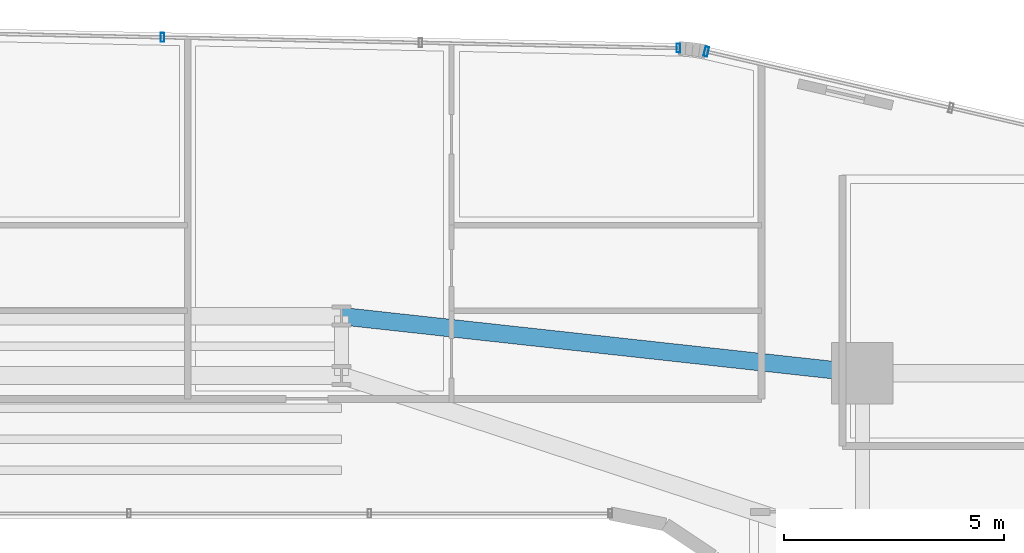
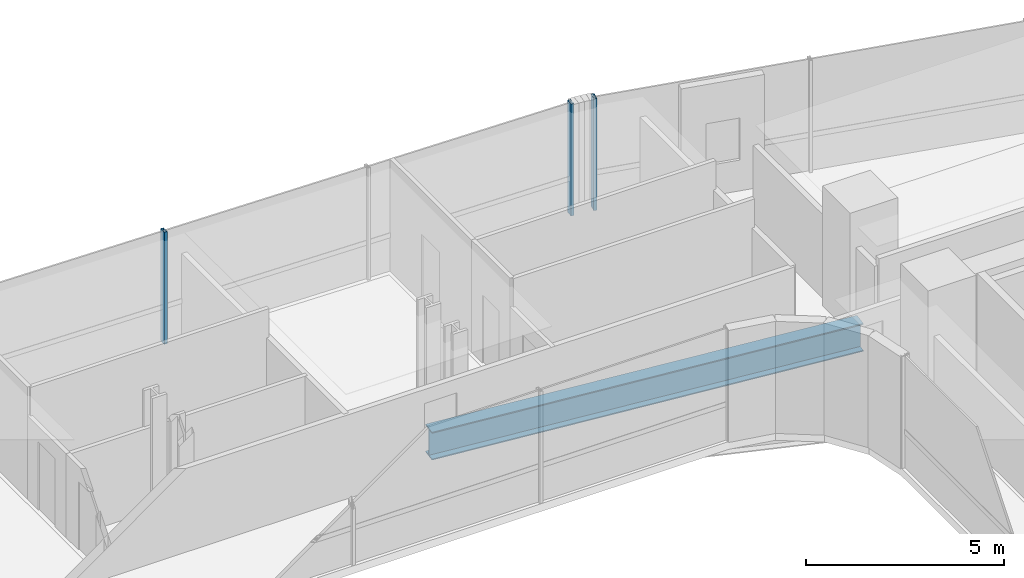
# One storey, part 23 of 41: 3 members, 1 beam, 2 elements without a shape of their own.
"""IFC4 building model written with IfcOpenShell, lengths in metres."""

from ifc_helpers import new_model, si_unit, direction, frame, origin, origin_2d, place, context, subcontext, project, spatial, hollow_rectangle, i_section, extrude, source, transform, mapped, material, material_profile, profile_set, type_object, element, aggregate, save


model = new_model("IFC4")

# Units and contexts
model_context = context("Model", 3, precision=1e-05, world=origin(), true_north=direction((0.0, 1.0)))
body_context = subcontext(model_context, "Body", "Model", "MODEL_VIEW")
ifc_project = project(units=[si_unit("LENGTHUNIT", "METRE"), si_unit("AREAUNIT", "SQUARE_METRE"), si_unit("VOLUMEUNIT", "CUBIC_METRE"), si_unit("PLANEANGLEUNIT", "RADIAN"), si_unit("MASSUNIT", "GRAM", prefix="KILO")], contexts=[model_context])

# Site, building, storey
site_placement = place(None, origin())
site = spatial("IfcSite", under=ifc_project, at=site_placement, CompositionType="ELEMENT")
building_placement = place(site_placement, origin())
building = spatial("IfcBuilding", under=site, at=building_placement, Name="Valdorenza Pilgrim Sanctuary Tower", CompositionType="ELEMENT")
storey_placement = place(building_placement, frame((0.0, 0.0, 85.199951171875)))
storey = spatial("IfcBuildingStorey", under=building, at=storey_placement, Name="L21", CompositionType="ELEMENT", Elevation=85.199951171875)

# Beam
ifc_material_1 = material(Name="Steel ASTM A992 Grade 50", Category="steel")
ifc_material_profile_1 = material_profile(ifc_material_1, i_section(OverallWidth=0.39990234375, OverallDepth=0.862060546875, WebThickness=0.019775390625, FlangeThickness=0.032470703125, at=origin_2d()), Name="W33X221")
ifc_profile_set_1 = profile_set([ifc_material_profile_1], Name="Steel ASTM A992 Grade 50")
beam_type = type_object("IfcBeamType", Name="STR-BM-GRD-W33", PredefinedType="BEAM", material=ifc_profile_set_1)
shared_shape_1 = source(origin(), body_context, "Body", "SweptSolid", [
    extrude(i_section(OverallWidth=0.39990234375, OverallDepth=0.862060546875, WebThickness=0.019775390625, FlangeThickness=0.032470703125, at=origin_2d()), origin(), (0.0, 0.0, 1.0), 11.921142578125),
])
beam_placement = place(storey_placement, frame((4.0, 14.800048828125, -0.6708984375), z_axis=(0.994035876607, -0.10905354656, 0.0), x_axis=(0.10905354656, 0.994035876607, 0.0)))
element("IfcBeam", 1, at=beam_placement, inside=storey, type_object=beam_type, Name="L21 Floor Girder KNK-G6", PredefinedType="BEAM", context=body_context, shape_type="MappedRepresentation", body=[
    mapped(shared_shape_1, transform((0.0, 0.0, 0.0), x_axis=(1.0, 0.0, 0.0), y_axis=(0.0, 1.0, 0.0), z_axis=(0.0, 0.0, 1.0), scale=1.0)),
])

# Curtain wall, members
ifc_material_2 = material(Name="Curtain-wall IGU glazing", Category="glass")
curtain_wall_type_1 = type_object("IfcCurtainWallType", Name="CW-SYS-02", PredefinedType="NOTDEFINED", material=ifc_material_2)
curtain_wall_1_placement = place(storey_placement, origin())
curtain_wall_1 = element("IfcCurtainWall", 2, at=curtain_wall_1_placement, inside=storey, type_object=curtain_wall_type_1, Name="L21 Curtain Wall CW-L21-1-11", PredefinedType="NOTDEFINED")
ifc_material_3 = material(Name="Anodised aluminium AW-6060", Category="aluminium")
ifc_material_profile_2 = material_profile(ifc_material_3, hollow_rectangle(XDim=0.0849609375, YDim=0.199951171875, WallThickness=0.0048828125, at=origin_2d()), Name="ALU-M 200x85x5")
ifc_profile_set_2 = profile_set([ifc_material_profile_2], Name="Anodised aluminium AW-6060")
member_type_1 = type_object("IfcMemberType", Name="CW-MUL-02", PredefinedType="MULLION", material=ifc_profile_set_2)
shared_shape_2 = source(origin(), body_context, "Body", "SweptSolid", [
    extrude(hollow_rectangle(XDim=0.0849609375, YDim=0.199951171875, WallThickness=0.0048828125, at=origin_2d()), origin(), (0.0, 0.0, 1.0), 3.4599609375),
])
member_1_placement = place(storey_placement, frame((-0.0712890625, 21.1416015625, 0.0), z_axis=(0.0, 0.0, 1.0), x_axis=(0.999783234613, -0.020820273474, 0.0)))
member_1 = element("IfcMember", 3, at=member_1_placement, type_object=member_type_1, Name="CW-L21-1-11 Mullion 3", PredefinedType="MULLION", context=body_context, shape_type="MappedRepresentation", body=[
    mapped(shared_shape_2, transform((0.0, 0.0, 0.0), x_axis=(1.0, 0.0, 0.0), y_axis=(0.0, 1.0, 0.0), z_axis=(0.0, 0.0, 1.0), scale=1.0)),
])
member_2_placement = place(storey_placement, frame((11.665771484375, 20.89697265625, 0.0), z_axis=(0.0, 0.0, 1.0), x_axis=(0.999783234613, -0.020820273474, 0.0)))
member_2 = element("IfcMember", 4, at=member_2_placement, type_object=member_type_1, Name="CW-L21-1-11 Mullion 5", PredefinedType="MULLION", context=body_context, shape_type="MappedRepresentation", body=[
    mapped(shared_shape_2, transform((0.0, 0.0, 0.0), x_axis=(1.0, 0.0, 0.0), y_axis=(0.0, 1.0, 0.0), z_axis=(0.0, 0.0, 1.0), scale=1.0)),
])
aggregate(curtain_wall_1, [member_1, member_2])

# Curtain wall, member
curtain_wall_type_2 = type_object("IfcCurtainWallType", Name="CW-SYS-03", PredefinedType="NOTDEFINED", material=ifc_material_2)
curtain_wall_2_placement = place(storey_placement, origin())
curtain_wall_2 = element("IfcCurtainWall", 5, at=curtain_wall_2_placement, inside=storey, type_object=curtain_wall_type_2, Name="L21 Curtain Wall CW-L21-1-16", PredefinedType="NOTDEFINED")
ifc_material_profile_3 = material_profile(ifc_material_3, hollow_rectangle(XDim=0.0849609375, YDim=0.219970703125, WallThickness=0.0048828125, at=origin_2d()), Name="ALU-M 220x85x5")
ifc_profile_set_3 = profile_set([ifc_material_profile_3], Name="Anodised aluminium AW-6060")
member_type_2 = type_object("IfcMemberType", Name="CW-MUL-03", PredefinedType="MULLION", material=ifc_profile_set_3)
shared_shape_3 = source(origin(), body_context, "Body", "SweptSolid", [
    extrude(hollow_rectangle(XDim=0.0849609375, YDim=0.219970703125, WallThickness=0.0048828125, at=origin_2d()), origin(), (0.0, 0.0, 1.0), 3.4599609375),
])
member_3_placement = place(storey_placement, frame((12.299072265625, 20.818115234375, 0.0), z_axis=(0.0, 0.0, 1.0), x_axis=(0.974389691758, -0.224866023659, 0.0)))
member_3 = element("IfcMember", 6, at=member_3_placement, type_object=member_type_2, Name="CW-L21-1-16 Mullion 1", PredefinedType="MULLION", context=body_context, shape_type="MappedRepresentation", body=[
    mapped(shared_shape_3, transform((0.0, 0.0, 0.0), x_axis=(1.0, 0.0, 0.0), y_axis=(0.0, 1.0, 0.0), z_axis=(0.0, 0.0, 1.0), scale=1.0)),
])
aggregate(curtain_wall_2, [member_3])

save(model, "model.ifc")
